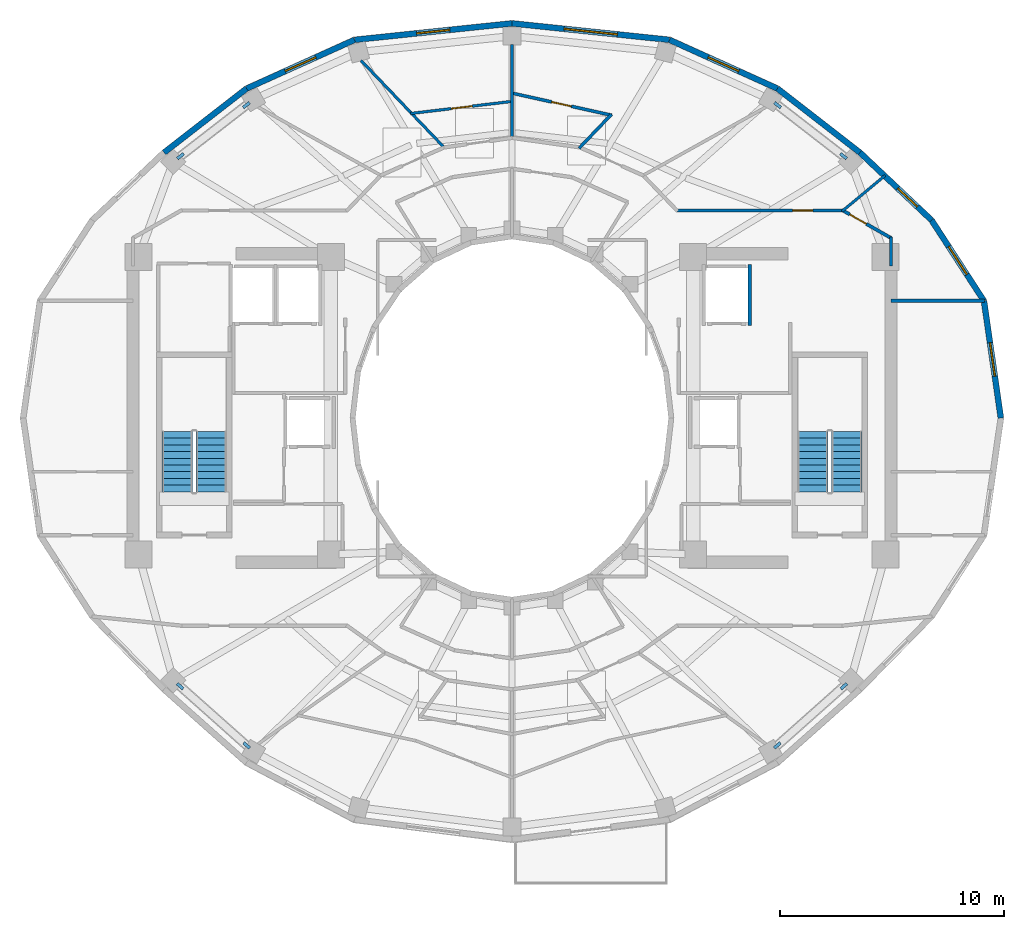
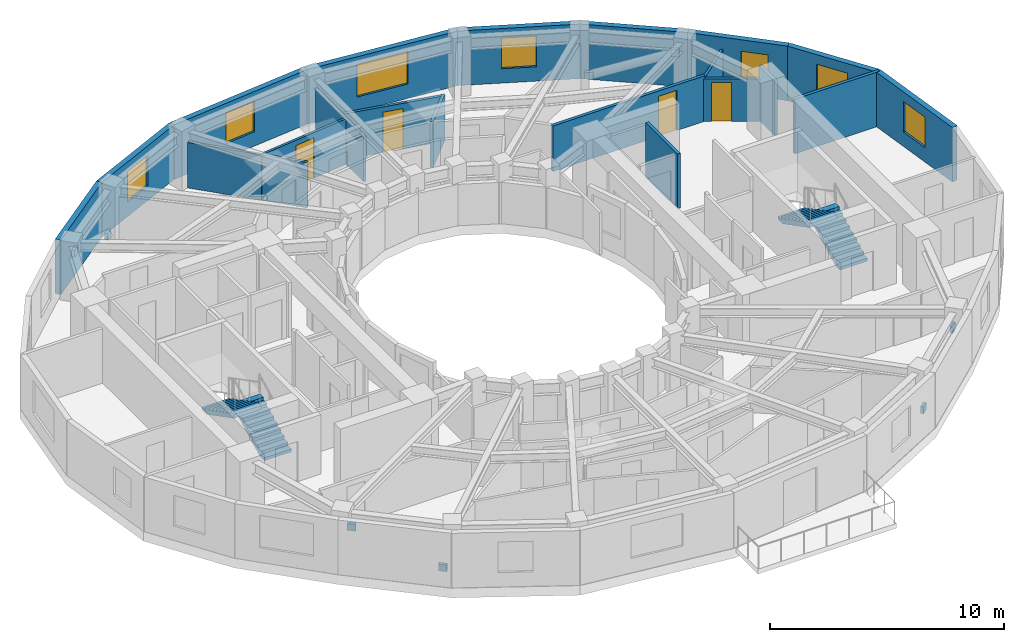
# One storey, part 7 of 9: 20 walls, 8 discrete accessories, 7 windows, 4 doors, 4 stair flights, 11 openings, 2 elements without a shape of their own.
"""IFC4 building model written with IfcOpenShell, lengths in metres."""

from ifc_helpers import new_model, si_unit, direction, frame, frame_2d, origin, origin_2d, place, context, subcontext, project, spatial, polyline, rectangle, outline, extrude, material, layer, layer_set, type_object, element, fill, aggregate, save


model = new_model("IFC4")

# Units and contexts
model_context = context("Model", 3, precision=1e-05, world=origin(), true_north=direction((0.0, 1.0)))
body_context = subcontext(model_context, "Body", "Model", "MODEL_VIEW")
ifc_project = project(units=[si_unit("LENGTHUNIT", "METRE"), si_unit("AREAUNIT", "SQUARE_METRE"), si_unit("VOLUMEUNIT", "CUBIC_METRE"), si_unit("PLANEANGLEUNIT", "RADIAN"), si_unit("MASSUNIT", "GRAM", prefix="KILO")], contexts=[model_context])

# Site, building, storey
site_placement = place(None, origin())
site = spatial("IfcSite", under=ifc_project, at=site_placement, CompositionType="ELEMENT")
building_placement = place(site_placement, origin())
building = spatial("IfcBuilding", under=site, at=building_placement, Name="Solvane Sanctuary Tower", CompositionType="ELEMENT")
storey_placement = place(building_placement, frame((0.0, 0.0, 220.199951171875)))
storey = spatial("IfcBuildingStorey", under=building, at=storey_placement, Name="L67", CompositionType="ELEMENT", Elevation=220.199951171875)

# Walls
ifc_material_1 = material(Name="Acoustic Gypsum Partition Board")
ifc_layer_1 = layer(ifc_material_1, 0.14990234375, Name="Acoustic Gypsum Partition Board")
ifc_layer_set_1 = layer_set([ifc_layer_1], Name="Acoustic Gypsum Partition Board")
wall_type_1 = type_object("IfcWallType", Name="Wall W-CORR-150", PredefinedType="PARTITIONING", material=ifc_layer_set_1)
wall_1_placement = place(storey_placement, frame((48.949951171875, 28.245361328125, 0.0), z_axis=(0.0, 0.0, 1.0), x_axis=(1.0, 0.0, 0.0)))
element("IfcWall", 1, at=wall_1_placement, inside=storey, type_object=wall_type_1, Name="L67 East Shoulder North Wall", PredefinedType="PARTITIONING", context=body_context, shape_type="SweptSolid", body=[
    extrude(rectangle(XDim=4.174560546875, YDim=0.14990234375, at=frame_2d((2.08740234375, 0.0))), origin(), (0.0, 0.0, 1.0), 2.85498046875),
])
wall_2_placement = place(storey_placement, frame((48.949951171875, 29.800048828125, 0.0), z_axis=(0.0, 0.0, 1.0), x_axis=(0.0, 1.0, 0.0)))
element("IfcWall", 2, at=wall_2_placement, inside=storey, type_object=wall_type_1, Name="L67 NE Corner Closer 1", PredefinedType="PARTITIONING", context=body_context, shape_type="SweptSolid", body=[
    extrude(rectangle(XDim=1.2900390625, YDim=0.14990234375, at=frame_2d((0.64501953125, 0.0))), origin(), (0.0, 0.0, 1.0), 2.85498046875),
])

# Wall, opening, door
wall_3_placement = place(storey_placement, frame((39.330078125, 32.280029296875, 0.0), z_axis=(0.0, 0.0, 1.0), x_axis=(1.0, 0.0, 0.0)))
wall_3 = element("IfcWall", 3, at=wall_3_placement, inside=storey, type_object=wall_type_1, Name="L67 NE Corner Corridor Wall", PredefinedType="PARTITIONING", context=body_context, shape_type="SweptSolid", body=[
    extrude(rectangle(XDim=7.52001953125, YDim=0.14990234375, at=frame_2d((3.760009765625, 0.0))), origin(), (0.0, 0.0, 1.0), 2.3759765625),
])
opening_1_placement = place(wall_3_placement, frame((5.219970703125, 0.0, 0.0)))
opening_1 = element("IfcOpeningElement", 4, at=opening_1_placement, cuts=wall_3, Name="Opening D-L67-19", PredefinedType="OPENING", context=body_context, shape_type="SweptSolid", body=[
    extrude(rectangle(XDim=0.89990234375, YDim=2.10009765625, at=frame_2d((0.449951171875, 1.050048828125))), frame((0.0, 0.0849609375, 0.0), z_axis=(0.0, -1.0, 0.0), x_axis=(1.0, 0.0, 0.0)), (0.0, 0.0, 1.0), 0.169921875),
])
ifc_material_2 = material(Name="Engineered Tropical Hardwood", Category="wood")
door_type_1 = type_object("IfcDoorType", Name="Door D-WET-900", OperationType="NOTDEFINED", PredefinedType="DOOR", material=ifc_material_2)
door_1_placement = place(opening_1_placement, origin())
door_1 = element("IfcDoor", 5, at=door_1_placement, inside=storey, type_object=door_type_1, Name="L67 NE Corner Salon Door", OperationType="SINGLE_SWING_RIGHT", OverallHeight=2.10009765625, OverallWidth=0.89990234375, PredefinedType="DOOR", context=body_context, shape_type="SweptSolid", body=[
    extrude(rectangle(XDim=0.89990234375, YDim=2.10009765625, at=frame_2d((0.449951171875, 1.050048828125))), frame((0.0, 0.02490234375, 0.0), z_axis=(0.0, -1.0, 0.0), x_axis=(1.0, 0.0, 0.0)), (0.0, 0.0, 1.0), 0.050048828125),
])
fill(opening_1, door_1)

wall_4_placement = place(storey_placement, frame((46.756591796875, 32.3046875, 0.0), z_axis=(0.0, 0.0, 1.0), x_axis=(0.867991349648, -0.496579315857, 0.0)))
wall_4 = element("IfcWall", 6, at=wall_4_placement, inside=storey, type_object=wall_type_1, Name="L67 NE Corner Wing Wall", PredefinedType="PARTITIONING", context=body_context, shape_type="SweptSolid", body=[
    extrude(rectangle(XDim=2.56689453125, YDim=0.14990234375, at=frame_2d((1.283447265625, 0.0))), origin(), (0.0, 0.0, 1.0), 2.219970703125),
])
opening_2_placement = place(wall_4_placement, frame((0.404052734375, 0.0, 0.0)))
opening_2 = element("IfcOpeningElement", 7, at=opening_2_placement, cuts=wall_4, Name="Opening D-L67-20", PredefinedType="OPENING", context=body_context, shape_type="SweptSolid", body=[
    extrude(rectangle(XDim=0.85009765625, YDim=2.050048828125, at=frame_2d((0.425048828125, 1.02490234375))), frame((0.0, 0.0849609375, 0.0), z_axis=(0.0, -1.0, 0.0), x_axis=(1.0, 0.0, 0.0)), (0.0, 0.0, 1.0), 0.169921875),
])
ifc_material_3 = material(Name="Architectural Stainless Steel 316", Category="steel")
door_type_2 = type_object("IfcDoorType", Name="Door D-RISER", OperationType="NOTDEFINED", PredefinedType="DOOR", material=ifc_material_3)
door_2_placement = place(opening_2_placement, origin())
door_2 = element("IfcDoor", 8, at=door_2_placement, inside=storey, type_object=door_type_2, Name="L67 NE Corner Suite Door", OperationType="SINGLE_SWING_LEFT", OverallHeight=2.050048828125, OverallWidth=0.85009765625, PredefinedType="DOOR", context=body_context, shape_type="SweptSolid", body=[
    extrude(rectangle(XDim=0.85009765625, YDim=2.050048828125, at=frame_2d((0.425048828125, 1.02490234375))), frame((0.0, 0.02490234375, 0.0), z_axis=(0.0, -1.0, 0.0), x_axis=(1.0, 0.0, 0.0)), (0.0, 0.0, 1.0), 0.050048828125),
])
fill(opening_2, door_2)

# Wall, opening, window
ifc_material_4 = material(Name="Precast concrete C40/50", Category="concrete")
ifc_layer_2 = layer(ifc_material_4, 0.260009765625, Name="Precast concrete C40/50")
ifc_layer_set_2 = layer_set([ifc_layer_2], Name="Precast concrete C40/50")
wall_type_2 = type_object("IfcWallType", Name="Wall W-EXT-250", PredefinedType="STANDARD", material=ifc_layer_set_2)
wall_5_placement = place(storey_placement, frame((53.860107421875, 23.0, 0.0), z_axis=(0.0, 0.0, 1.0), x_axis=(-0.142712754019, 0.989764148593, 0.0)))
wall_5 = element("IfcWall", 9, at=wall_5_placement, inside=storey, type_object=wall_type_2, Name="L67 Ceramic-Printed Facade Wall 00", PredefinedType="STANDARD", context=body_context, shape_type="SweptSolid", body=[
    extrude(rectangle(XDim=5.29296875, YDim=0.260009765625, at=frame_2d((2.646484375, 0.0))), origin(), (0.0, 0.0, 1.0), 2.85009765625),
])
opening_3_placement = place(wall_5_placement, frame((1.896484375, 0.0, 0.75)))
opening_3 = element("IfcOpeningElement", 10, at=opening_3_placement, cuts=wall_5, Name="Opening WN-OPER-1500", PredefinedType="OPENING", context=body_context, shape_type="SweptSolid", body=[
    extrude(rectangle(XDim=1.5, YDim=1.60009765625, at=frame_2d((0.75, 0.800048828125))), frame((0.0, 0.139892578125, 0.0), z_axis=(0.0, -1.0, 0.0), x_axis=(1.0, 0.0, 0.0)), (0.0, 0.0, 1.0), 0.280029296875),
])
ifc_material_5 = material(Name="Dark Ceramic-Fritted Low-E Glass", Category="glass")
window_type_1 = type_object("IfcWindowType", Name="Window WN-OPER-1500", PartitioningType="SINGLE_PANEL", PredefinedType="WINDOW", material=ifc_material_5)
window_1_placement = place(opening_3_placement, origin())
window_1 = element("IfcWindow", 11, at=window_1_placement, inside=storey, type_object=window_type_1, Name="L67 Operable Facade Window 00", OverallHeight=1.60009765625, OverallWidth=1.5, PartitioningType="SINGLE_PANEL", PredefinedType="WINDOW", context=body_context, shape_type="SweptSolid", body=[
    extrude(rectangle(XDim=1.5, YDim=1.60009765625, at=frame_2d((0.75, 0.800048828125))), frame((0.0, 0.030029296875, 0.0), z_axis=(0.0, -1.0, 0.0), x_axis=(1.0, 0.0, 0.0)), (0.0, 0.0, 1.0), 0.06005859375),
])
fill(opening_3, window_1)

wall_6_placement = place(storey_placement, frame((53.104736328125, 28.23876953125, 0.0), z_axis=(0.0, 0.0, 1.0), x_axis=(-0.544475908819, 0.838776480784, 0.0)))
wall_6 = element("IfcWall", 12, at=wall_6_placement, inside=storey, type_object=wall_type_2, Name="L67 Ceramic-Printed Facade Wall 01", PredefinedType="STANDARD", context=body_context, shape_type="SweptSolid", body=[
    extrude(rectangle(XDim=4.3046875, YDim=0.260009765625, at=frame_2d((2.15234375, 0.0))), origin(), (0.0, 0.0, 1.0), 2.85009765625),
])
opening_4_placement = place(wall_6_placement, frame((1.40234375, 0.0, 0.75)))
opening_4 = element("IfcOpeningElement", 13, at=opening_4_placement, cuts=wall_6, Name="Opening WN-OPER-1500", PredefinedType="OPENING", context=body_context, shape_type="SweptSolid", body=[
    extrude(rectangle(XDim=1.5, YDim=1.60009765625, at=frame_2d((0.75, 0.800048828125))), frame((0.0, 0.139892578125, 0.0), z_axis=(0.0, -1.0, 0.0), x_axis=(1.0, 0.0, 0.0)), (0.0, 0.0, 1.0), 0.280029296875),
])
window_2_placement = place(opening_4_placement, origin())
window_2 = element("IfcWindow", 14, at=window_2_placement, inside=storey, type_object=window_type_1, Name="L67 Operable Facade Window 01", OverallHeight=1.60009765625, OverallWidth=1.5, PartitioningType="SINGLE_PANEL", PredefinedType="WINDOW", context=body_context, shape_type="SweptSolid", body=[
    extrude(rectangle(XDim=1.5, YDim=1.60009765625, at=frame_2d((0.75, 0.800048828125))), frame((0.0, 0.030029296875, 0.0), z_axis=(0.0, -1.0, 0.0), x_axis=(1.0, 0.0, 0.0)), (0.0, 0.0, 1.0), 0.06005859375),
])
fill(opening_4, window_2)

wall_7_placement = place(storey_placement, frame((50.760986328125, 31.849365234375, 0.0), z_axis=(0.0, 0.0, 1.0), x_axis=(-0.72731899451, 0.686299555752, 0.0)))
wall_7 = element("IfcWall", 15, at=wall_7_placement, inside=storey, type_object=wall_type_2, Name="L67 Ceramic-Printed Facade Wall 02", PredefinedType="STANDARD", context=body_context, shape_type="SweptSolid", body=[
    extrude(rectangle(XDim=4.404296875, YDim=0.260009765625, at=frame_2d((2.2021484375, 0.0))), origin(), (0.0, 0.0, 1.0), 2.85009765625),
])
opening_5_placement = place(wall_7_placement, frame((0.8671875, 0.0, 0.75)))
opening_5 = element("IfcOpeningElement", 16, at=opening_5_placement, cuts=wall_7, Name="Opening WN-OPER-1200", PredefinedType="OPENING", context=body_context, shape_type="SweptSolid", body=[
    extrude(rectangle(XDim=1.199951171875, YDim=1.5, at=frame_2d((0.60009765625, 0.75))), frame((0.0, 0.139892578125, 0.0), z_axis=(0.0, -1.0, 0.0), x_axis=(1.0, 0.0, 0.0)), (0.0, 0.0, 1.0), 0.280029296875),
])
window_type_2 = type_object("IfcWindowType", Name="Window WN-OPER-1200", PartitioningType="SINGLE_PANEL", PredefinedType="WINDOW", material=ifc_material_5)
window_3_placement = place(opening_5_placement, origin())
window_3 = element("IfcWindow", 17, at=window_3_placement, inside=storey, type_object=window_type_2, Name="L67 Operable Facade Window 02", OverallHeight=1.5, OverallWidth=1.199951171875, PartitioningType="SINGLE_PANEL", PredefinedType="WINDOW", context=body_context, shape_type="SweptSolid", body=[
    extrude(rectangle(XDim=1.199951171875, YDim=1.5, at=frame_2d((0.60009765625, 0.75))), frame((0.0, 0.030029296875, 0.0), z_axis=(0.0, -1.0, 0.0), x_axis=(1.0, 0.0, 0.0)), (0.0, 0.0, 1.0), 0.06005859375),
])
fill(opening_5, window_3)

# Wall
wall_8_placement = place(storey_placement, frame((47.5576171875, 34.8720703125, 0.0), z_axis=(0.0, 0.0, 1.0), x_axis=(-0.790126214723, 0.612944177563, 0.0)))
element("IfcWall", 18, at=wall_8_placement, inside=storey, type_object=wall_type_2, Name="L67 Ceramic-Printed Facade Wall 03", PredefinedType="STANDARD", context=body_context, shape_type="SweptSolid", body=[
    extrude(rectangle(XDim=4.6669921875, YDim=0.260009765625, at=frame_2d((2.33349609375, 0.0))), origin(), (0.0, 0.0, 1.0), 2.85009765625),
])

# Wall, opening, window
wall_9_placement = place(storey_placement, frame((43.8701171875, 37.732666015625, 0.0), z_axis=(0.0, 0.0, 1.0), x_axis=(-0.911427484938, 0.411460738952, 0.0)))
wall_9 = element("IfcWall", 19, at=wall_9_placement, inside=storey, type_object=wall_type_2, Name="L67 Ceramic-Printed Facade Wall 04", PredefinedType="STANDARD", context=body_context, shape_type="SweptSolid", body=[
    extrude(rectangle(XDim=5.296142578125, YDim=0.260009765625, at=frame_2d((2.64794921875, 0.0))), origin(), (0.0, 0.0, 1.0), 2.85009765625),
])
opening_6_placement = place(wall_9_placement, frame((1.898193359375, 0.0, 0.75)))
opening_6 = element("IfcOpeningElement", 20, at=opening_6_placement, cuts=wall_9, Name="Opening WN-OPER-1500", PredefinedType="OPENING", context=body_context, shape_type="SweptSolid", body=[
    extrude(rectangle(XDim=1.5, YDim=1.60009765625, at=frame_2d((0.75, 0.800048828125))), frame((0.0, 0.139892578125, 0.0), z_axis=(0.0, -1.0, 0.0), x_axis=(1.0, 0.0, 0.0)), (0.0, 0.0, 1.0), 0.280029296875),
])
window_4_placement = place(opening_6_placement, origin())
window_4 = element("IfcWindow", 21, at=window_4_placement, inside=storey, type_object=window_type_1, Name="L67 Operable Facade Window 04", OverallHeight=1.60009765625, OverallWidth=1.5, PartitioningType="SINGLE_PANEL", PredefinedType="WINDOW", context=body_context, shape_type="SweptSolid", body=[
    extrude(rectangle(XDim=1.5, YDim=1.60009765625, at=frame_2d((0.75, 0.800048828125))), frame((0.0, 0.030029296875, 0.0), z_axis=(0.0, -1.0, 0.0), x_axis=(1.0, 0.0, 0.0)), (0.0, 0.0, 1.0), 0.06005859375),
])
fill(opening_6, window_4)

wall_10_placement = place(storey_placement, frame((39.04296875, 39.911865234375, 0.0), z_axis=(0.0, 0.0, 1.0), x_axis=(-0.994582822721, 0.103947144014, 0.0)))
wall_10 = element("IfcWall", 22, at=wall_10_placement, inside=storey, type_object=wall_type_2, Name="L67 Ceramic-Printed Facade Wall 05", PredefinedType="STANDARD", context=body_context, shape_type="SweptSolid", body=[
    extrude(rectangle(XDim=7.081298828125, YDim=0.260009765625, at=frame_2d((3.54052734375, 0.0))), origin(), (0.0, 0.0, 1.0), 2.85009765625),
])
opening_7_placement = place(wall_10_placement, frame((2.3408203125, 0.0, 0.75)))
opening_7 = element("IfcOpeningElement", 23, at=opening_7_placement, cuts=wall_10, Name="Opening WN-RIB-2400", PredefinedType="OPENING", context=body_context, shape_type="SweptSolid", body=[
    extrude(rectangle(XDim=2.39990234375, YDim=1.699951171875, at=frame_2d((1.199951171875, 0.85009765625))), frame((0.0, 0.139892578125, 0.0), z_axis=(0.0, -1.0, 0.0), x_axis=(1.0, 0.0, 0.0)), (0.0, 0.0, 1.0), 0.280029296875),
])
window_type_3 = type_object("IfcWindowType", Name="Window WN-RIB-2400", PartitioningType="SINGLE_PANEL", PredefinedType="WINDOW", material=ifc_material_5)
window_5_placement = place(opening_7_placement, origin())
window_5 = element("IfcWindow", 24, at=window_5_placement, inside=storey, type_object=window_type_3, Name="L67 Operable Facade Window 05", OverallHeight=1.699951171875, OverallWidth=2.39990234375, PartitioningType="SINGLE_PANEL", PredefinedType="WINDOW", context=body_context, shape_type="SweptSolid", body=[
    extrude(rectangle(XDim=2.39990234375, YDim=1.699951171875, at=frame_2d((1.199951171875, 0.85009765625))), frame((0.0, 0.030029296875, 0.0), z_axis=(0.0, -1.0, 0.0), x_axis=(1.0, 0.0, 0.0)), (0.0, 0.0, 1.0), 0.06005859375),
])
fill(opening_7, window_5)

wall_11_placement = place(storey_placement, frame((32.0, 40.64794921875, 0.0), z_axis=(0.0, 0.0, 1.0), x_axis=(-0.994582822721, -0.103947144014, 0.0)))
wall_11 = element("IfcWall", 25, at=wall_11_placement, inside=storey, type_object=wall_type_2, Name="L67 Ceramic-Printed Facade Wall 06", PredefinedType="STANDARD", context=body_context, shape_type="SweptSolid", body=[
    extrude(rectangle(XDim=7.081298828125, YDim=0.260009765625, at=frame_2d((3.54052734375, 0.0))), origin(), (0.0, 0.0, 1.0), 2.85009765625),
])
opening_8_placement = place(wall_11_placement, frame((2.790771484375, 0.0, 0.75)))
opening_8 = element("IfcOpeningElement", 26, at=opening_8_placement, cuts=wall_11, Name="Opening WN-OPER-1500", PredefinedType="OPENING", context=body_context, shape_type="SweptSolid", body=[
    extrude(rectangle(XDim=1.5, YDim=1.60009765625, at=frame_2d((0.75, 0.800048828125))), frame((0.0, 0.139892578125, 0.0), z_axis=(0.0, -1.0, 0.0), x_axis=(1.0, 0.0, 0.0)), (0.0, 0.0, 1.0), 0.280029296875),
])
window_6_placement = place(opening_8_placement, origin())
window_6 = element("IfcWindow", 27, at=window_6_placement, inside=storey, type_object=window_type_1, Name="L67 Operable Facade Window 06", OverallHeight=1.60009765625, OverallWidth=1.5, PartitioningType="SINGLE_PANEL", PredefinedType="WINDOW", context=body_context, shape_type="SweptSolid", body=[
    extrude(rectangle(XDim=1.5, YDim=1.60009765625, at=frame_2d((0.75, 0.800048828125))), frame((0.0, 0.030029296875, 0.0), z_axis=(0.0, -1.0, 0.0), x_axis=(1.0, 0.0, 0.0)), (0.0, 0.0, 1.0), 0.06005859375),
])
fill(opening_8, window_6)

wall_12_placement = place(storey_placement, frame((24.95703125, 39.911865234375, 0.0), z_axis=(0.0, 0.0, 1.0), x_axis=(-0.911427484938, -0.411460738952, 0.0)))
wall_12 = element("IfcWall", 28, at=wall_12_placement, inside=storey, type_object=wall_type_2, Name="L67 Ceramic-Printed Facade Wall 07", PredefinedType="STANDARD", context=body_context, shape_type="SweptSolid", body=[
    extrude(rectangle(XDim=5.296142578125, YDim=0.260009765625, at=frame_2d((2.64794921875, 0.0))), origin(), (0.0, 0.0, 1.0), 2.85009765625),
])
opening_9_placement = place(wall_12_placement, frame((1.898193359375, 0.0, 0.75)))
opening_9 = element("IfcOpeningElement", 29, at=opening_9_placement, cuts=wall_12, Name="Opening WN-OPER-1500", PredefinedType="OPENING", context=body_context, shape_type="SweptSolid", body=[
    extrude(rectangle(XDim=1.5, YDim=1.60009765625, at=frame_2d((0.75, 0.800048828125))), frame((0.0, 0.139892578125, 0.0), z_axis=(0.0, -1.0, 0.0), x_axis=(1.0, 0.0, 0.0)), (0.0, 0.0, 1.0), 0.280029296875),
])
window_7_placement = place(opening_9_placement, origin())
window_7 = element("IfcWindow", 30, at=window_7_placement, inside=storey, type_object=window_type_1, Name="L67 Operable Facade Window 07", OverallHeight=1.60009765625, OverallWidth=1.5, PartitioningType="SINGLE_PANEL", PredefinedType="WINDOW", context=body_context, shape_type="SweptSolid", body=[
    extrude(rectangle(XDim=1.5, YDim=1.60009765625, at=frame_2d((0.75, 0.800048828125))), frame((0.0, 0.030029296875, 0.0), z_axis=(0.0, -1.0, 0.0), x_axis=(1.0, 0.0, 0.0)), (0.0, 0.0, 1.0), 0.06005859375),
])
fill(opening_9, window_7)

# Walls
wall_13_placement = place(storey_placement, frame((20.1298828125, 37.732666015625, 0.0), z_axis=(0.0, 0.0, 1.0), x_axis=(-0.790126214723, -0.612944177563, 0.0)))
element("IfcWall", 31, at=wall_13_placement, inside=storey, type_object=wall_type_2, Name="L67 Ceramic-Printed Facade Wall 08", PredefinedType="STANDARD", context=body_context, shape_type="SweptSolid", body=[
    extrude(rectangle(XDim=4.6669921875, YDim=0.260009765625, at=frame_2d((2.33349609375, 0.0))), origin(), (0.0, 0.0, 1.0), 2.85009765625),
])
ifc_layer_3 = layer(ifc_material_1, 0.1201171875, Name="Acoustic Gypsum Partition Board")
ifc_layer_set_3 = layer_set([ifc_layer_3], Name="Acoustic Gypsum Partition Board")
wall_type_3 = type_object("IfcWallType", Name="Wall W-MOV-100", PredefinedType="MOVABLE", material=ifc_layer_set_3)
wall_14_placement = place(storey_placement, frame((46.76171875, 32.248046875, 0.0), z_axis=(0.0, 0.0, 1.0), x_axis=(0.76890954941, 0.639357571962, 0.0)))
element("IfcWall", 32, at=wall_14_placement, inside=storey, type_object=wall_type_3, Name="L67 NE Corner Suite Partition", PredefinedType="MOVABLE", context=body_context, shape_type="SweptSolid", body=[
    extrude(rectangle(XDim=2.498779296875, YDim=0.1201171875, at=frame_2d((1.24951171875, 0.0))), origin(), (0.0, 0.0, 1.0), 2.219970703125),
])

# Wall, opening, door
wall_15_placement = place(storey_placement, frame((32.049560546875, 37.165771484375, 0.0), z_axis=(0.0, 0.0, 1.0), x_axis=(-0.992963303559, -0.118422454736, 0.0)))
wall_15 = element("IfcWall", 33, at=wall_15_placement, inside=storey, type_object=wall_type_3, Name="L67 Suite Sitting Lounge Partition N2", PredefinedType="MOVABLE", context=body_context, shape_type="SweptSolid", body=[
    extrude(rectangle(XDim=4.6220703125, YDim=0.1201171875, at=frame_2d((2.31103515625, 0.0))), origin(), (0.0, 0.0, 1.0), 2.3759765625),
])
opening_10_placement = place(wall_15_placement, frame((1.836181640625, 0.0, 0.0)))
opening_10 = element("IfcOpeningElement", 34, at=opening_10_placement, cuts=wall_15, Name="Opening D-L67-26", PredefinedType="OPENING", context=body_context, shape_type="SweptSolid", body=[
    extrude(rectangle(XDim=0.949951171875, YDim=2.10009765625, at=frame_2d((0.47509765625, 1.050048828125))), frame((0.0, 0.070068359375, 0.0), z_axis=(0.0, -1.0, 0.0), x_axis=(1.0, 0.0, 0.0)), (0.0, 0.0, 1.0), 0.14013671875),
])
door_type_3 = type_object("IfcDoorType", Name="Door D-ROOM-950", OperationType="NOTDEFINED", PredefinedType="DOOR", material=ifc_material_2)
door_3_placement = place(opening_10_placement, origin())
door_3 = element("IfcDoor", 35, at=door_3_placement, inside=storey, type_object=door_type_3, Name="L67 Suite Sitting Lounge Door N2", OperationType="SINGLE_SWING_LEFT", OverallHeight=2.10009765625, OverallWidth=0.949951171875, PredefinedType="DOOR", context=body_context, shape_type="SweptSolid", body=[
    extrude(rectangle(XDim=0.949951171875, YDim=2.10009765625, at=frame_2d((0.47509765625, 1.050048828125))), frame((0.0, 0.02490234375, 0.0), z_axis=(0.0, -1.0, 0.0), x_axis=(1.0, 0.0, 0.0)), (0.0, 0.0, 1.0), 0.050048828125),
])
fill(opening_10, door_3)

# Walls
ifc_layer_4 = layer(ifc_material_1, 0.125, Name="Acoustic Gypsum Partition Board")
ifc_layer_set_4 = layer_set([ifc_layer_4], Name="Acoustic Gypsum Partition Board")
wall_type_4 = type_object("IfcWallType", Name="Wall W-PART-125", PredefinedType="PARTITIONING", material=ifc_layer_set_4)
wall_16_placement = place(storey_placement, frame((32.0, 35.5849609375, 0.0), z_axis=(0.0, 0.0, 1.0), x_axis=(0.0, 1.0, 0.0)))
element("IfcWall", 36, at=wall_16_placement, inside=storey, type_object=wall_type_4, Name="L67 Radial Compartment Wall 090", PredefinedType="PARTITIONING", context=body_context, shape_type="SweptSolid", body=[
    extrude(rectangle(XDim=4.114990234375, YDim=0.125, at=frame_2d((2.0576171875, 0.0))), origin(), (0.0, 0.0, 1.0), 2.3759765625),
])
wall_17_placement = place(storey_placement, frame((28.926025390625, 35.142822265625, 0.0), z_axis=(0.0, 0.0, 1.0), x_axis=(-0.691128003726, 0.722732372642, 0.0)))
element("IfcWall", 37, at=wall_17_placement, inside=storey, type_object=wall_type_4, Name="L67 Radial Compartment Wall 105", PredefinedType="PARTITIONING", context=body_context, shape_type="SweptSolid", body=[
    extrude(rectangle(XDim=5.330078125, YDim=0.125, at=frame_2d((2.6650390625, 0.0))), origin(), (0.0, 0.0, 1.0), 2.3759765625),
])
ifc_material_6 = material(Name="Concrete C50/60", Category="concrete")
ifc_layer_5 = layer(ifc_material_6, 0.14990234375, Name="Concrete C50/60")
ifc_layer_set_5 = layer_set([ifc_layer_5], Name="Concrete C50/60")
wall_type_5 = type_object("IfcWallType", Name="Wall W-SHAFT-150", PredefinedType="SOLIDWALL", material=ifc_layer_set_5)
wall_18_placement = place(storey_placement, frame((42.6298828125, 27.139892578125, 0.0), z_axis=(0.0, 0.0, 1.0), x_axis=(0.0, 1.0, 0.0)))
element("IfcWall", 38, at=wall_18_placement, inside=storey, type_object=wall_type_5, Name="L67 FFL-2 Lift Shaft Wall S2", PredefinedType="SOLIDWALL", context=body_context, shape_type="SweptSolid", body=[
    extrude(rectangle(XDim=2.72021484375, YDim=0.14990234375, at=frame_2d((1.360107421875, 0.0))), origin(), (0.0, 0.0, 1.0), 2.85498046875),
])
ifc_layer_6 = layer(ifc_material_1, 0.139892578125, Name="Acoustic Gypsum Partition Board")
ifc_layer_set_6 = layer_set([ifc_layer_6], Name="Acoustic Gypsum Partition Board")
wall_type_6 = type_object("IfcWallType", Name="Wall W-WET-140", PredefinedType="PLUMBINGWALL", material=ifc_layer_set_6)
wall_19_placement = place(storey_placement, frame((35.001220703125, 35.06689453125, 0.0), z_axis=(0.0, 0.0, 1.0), x_axis=(0.691180416361, 0.722682248321, 0.0)))
element("IfcWall", 39, at=wall_19_placement, inside=storey, type_object=wall_type_6, Name="L67 En-suite Side Partition N1", PredefinedType="PLUMBINGWALL", context=body_context, shape_type="SweptSolid", body=[
    extrude(rectangle(XDim=2.100341796875, YDim=0.139892578125, at=frame_2d((1.05029296875, 0.0))), origin(), (0.0, 0.0, 1.0), 2.385009765625),
])

# Wall, opening, door
wall_20_placement = place(storey_placement, frame((36.467041015625, 36.537841796875, 0.0), z_axis=(0.0, 0.0, 1.0), x_axis=(-0.976214372251, 0.21680751696, 0.0)))
wall_20 = element("IfcWall", 40, at=wall_20_placement, inside=storey, type_object=wall_type_6, Name="L67 En-suite Bedroom Wall N1", PredefinedType="PLUMBINGWALL", context=body_context, shape_type="SweptSolid", body=[
    extrude(rectangle(XDim=4.6259765625, YDim=0.139892578125, at=frame_2d((2.31298828125, 0.0))), origin(), (0.0, 0.0, 1.0), 2.3759765625),
])
opening_11_placement = place(wall_20_placement, frame((1.86279296875, 0.0, 0.0)))
opening_11 = element("IfcOpeningElement", 41, at=opening_11_placement, cuts=wall_20, Name="Opening D-L67-24", PredefinedType="OPENING", context=body_context, shape_type="SweptSolid", body=[
    extrude(rectangle(XDim=0.89990234375, YDim=2.10009765625, at=frame_2d((0.449951171875, 1.050048828125))), frame((0.0, 0.079833984375, 0.0), z_axis=(0.0, -1.0, 0.0), x_axis=(1.0, 0.0, 0.0)), (0.0, 0.0, 1.0), 0.159912109375),
])
door_4_placement = place(opening_11_placement, origin())
door_4 = element("IfcDoor", 42, at=door_4_placement, inside=storey, type_object=door_type_1, Name="L67 En-suite Bathroom Door N1", OperationType="SINGLE_SWING_LEFT", OverallHeight=2.10009765625, OverallWidth=0.89990234375, PredefinedType="DOOR", context=body_context, shape_type="SweptSolid", body=[
    extrude(rectangle(XDim=0.89990234375, YDim=2.10009765625, at=frame_2d((0.449951171875, 1.050048828125))), frame((0.0, 0.02490234375, 0.0), z_axis=(0.0, -1.0, 0.0), x_axis=(1.0, 0.0, 0.0)), (0.0, 0.0, 1.0), 0.050048828125),
])
fill(opening_11, door_4)

# Stair, stair flights
ifc_material_7 = material(Name="Concrete C45/55", Category="concrete")
stair_type = type_object("IfcStairType", Name="Stair ST-TOW", PredefinedType="HALF_TURN_STAIR", material=ifc_material_7)
stair_1_placement = place(storey_placement, origin())
stair_1 = element("IfcStair", 43, at=stair_1_placement, inside=storey, type_object=stair_type, Name="L67 Exit Stair ST-1 West Core", PredefinedType="HALF_TURN_STAIR")
stair_flight_type = type_object("IfcStairFlightType", Name="StairFlight SF-TOW", PredefinedType="STRAIGHT", material=ifc_material_7)
stair_flight_1_placement = place(storey_placement, frame((18.544921875, 19.699951171875, 0.0), z_axis=(0.0, 0.0, 1.0), x_axis=(0.0, 1.0, 0.0)))
stair_flight_1 = element("IfcStairFlight", 44, at=stair_flight_1_placement, type_object=stair_flight_type, Name="ST-1 flight 1", NumberOfRisers=10, NumberOfTreads=9, PredefinedType="STRAIGHT", RiserHeight=0.155, TreadLength=0.3, context=body_context, shape_type="SweptSolid", body=[
    extrude(outline(polyline([(0.0, 0.0), (0.0, 0.155029296875), (0.300048828125, 0.155029296875), (0.300048828125, 0.31005859375), (0.60009765625, 0.31005859375), (0.60009765625, 0.465087890625), (0.89990234375, 0.465087890625), (0.89990234375, 0.6201171875), (1.199951171875, 0.6201171875), (1.199951171875, 0.77490234375), (1.5, 0.77490234375), (1.5, 0.929931640625), (1.800048828125, 0.929931640625), (1.800048828125, 1.0849609375), (2.10009765625, 1.0849609375), (2.10009765625, 1.239990234375), (2.39990234375, 1.239990234375), (2.39990234375, 1.39501953125), (2.699951171875, 1.39501953125), (2.699951171875, 1.550048828125), (2.699951171875, 1.1923828125), (0.39208984375, 0.0), (0.0, 0.0)])), frame((0.0, 0.675048828125, 0.0), z_axis=(0.0, -1.0, 0.0), x_axis=(1.0, 0.0, 0.0)), (0.0, 0.0, 1.0), 1.35009765625),
])
stair_flight_2_placement = place(storey_placement, frame((17.034912109375, 22.39990234375, 1.550048828125), z_axis=(0.0, 0.0, 1.0), x_axis=(0.0, -1.0, 0.0)))
stair_flight_2 = element("IfcStairFlight", 45, at=stair_flight_2_placement, type_object=stair_flight_type, Name="ST-1 flight 2", NumberOfRisers=10, NumberOfTreads=9, PredefinedType="STRAIGHT", RiserHeight=0.155, TreadLength=0.3, context=body_context, shape_type="SweptSolid", body=[
    extrude(outline(polyline([(0.0, 0.0), (0.0, 0.155029296875), (0.300048828125, 0.155029296875), (0.300048828125, 0.31005859375), (0.60009765625, 0.31005859375), (0.60009765625, 0.465087890625), (0.89990234375, 0.465087890625), (0.89990234375, 0.6201171875), (1.199951171875, 0.6201171875), (1.199951171875, 0.77490234375), (1.5, 0.77490234375), (1.5, 0.929931640625), (1.800048828125, 0.929931640625), (1.800048828125, 1.0849609375), (2.10009765625, 1.0849609375), (2.10009765625, 1.239990234375), (2.39990234375, 1.239990234375), (2.39990234375, 1.39501953125), (2.699951171875, 1.39501953125), (2.699951171875, 1.550048828125), (2.699951171875, 1.1923828125), (0.39208984375, 0.0), (0.0, 0.0)])), frame((0.0, 0.675048828125, 0.0), z_axis=(0.0, -1.0, 0.0), x_axis=(1.0, 0.0, 0.0)), (0.0, 0.0, 1.0), 1.35009765625),
])
aggregate(stair_1, [stair_flight_1, stair_flight_2])

stair_2_placement = place(storey_placement, origin())
stair_2 = element("IfcStair", 46, at=stair_2_placement, inside=storey, type_object=stair_type, Name="L67 Exit Stair ST-2 East Core", PredefinedType="HALF_TURN_STAIR")
stair_flight_3_placement = place(storey_placement, frame((46.965087890625, 19.699951171875, 0.0), z_axis=(0.0, 0.0, 1.0), x_axis=(0.0, 1.0, 0.0)))
stair_flight_3 = element("IfcStairFlight", 47, at=stair_flight_3_placement, type_object=stair_flight_type, Name="ST-2 flight 1", NumberOfRisers=10, NumberOfTreads=9, PredefinedType="STRAIGHT", RiserHeight=0.155, TreadLength=0.3, context=body_context, shape_type="SweptSolid", body=[
    extrude(outline(polyline([(0.0, 0.0), (0.0, 0.155029296875), (0.300048828125, 0.155029296875), (0.300048828125, 0.31005859375), (0.60009765625, 0.31005859375), (0.60009765625, 0.465087890625), (0.89990234375, 0.465087890625), (0.89990234375, 0.6201171875), (1.199951171875, 0.6201171875), (1.199951171875, 0.77490234375), (1.5, 0.77490234375), (1.5, 0.929931640625), (1.800048828125, 0.929931640625), (1.800048828125, 1.0849609375), (2.10009765625, 1.0849609375), (2.10009765625, 1.239990234375), (2.39990234375, 1.239990234375), (2.39990234375, 1.39501953125), (2.699951171875, 1.39501953125), (2.699951171875, 1.550048828125), (2.699951171875, 1.1923828125), (0.39208984375, 0.0), (0.0, 0.0)])), frame((0.0, 0.675048828125, 0.0), z_axis=(0.0, -1.0, 0.0), x_axis=(1.0, 0.0, 0.0)), (0.0, 0.0, 1.0), 1.35009765625),
])
stair_flight_4_placement = place(storey_placement, frame((45.455078125, 22.39990234375, 1.550048828125), z_axis=(0.0, 0.0, 1.0), x_axis=(0.0, -1.0, 0.0)))
stair_flight_4 = element("IfcStairFlight", 48, at=stair_flight_4_placement, type_object=stair_flight_type, Name="ST-2 flight 2", NumberOfRisers=10, NumberOfTreads=9, PredefinedType="STRAIGHT", RiserHeight=0.155, TreadLength=0.3, context=body_context, shape_type="SweptSolid", body=[
    extrude(outline(polyline([(0.0, 0.0), (0.0, 0.155029296875), (0.300048828125, 0.155029296875), (0.300048828125, 0.31005859375), (0.60009765625, 0.31005859375), (0.60009765625, 0.465087890625), (0.89990234375, 0.465087890625), (0.89990234375, 0.6201171875), (1.199951171875, 0.6201171875), (1.199951171875, 0.77490234375), (1.5, 0.77490234375), (1.5, 0.929931640625), (1.800048828125, 0.929931640625), (1.800048828125, 1.0849609375), (2.10009765625, 1.0849609375), (2.10009765625, 1.239990234375), (2.39990234375, 1.239990234375), (2.39990234375, 1.39501953125), (2.699951171875, 1.39501953125), (2.699951171875, 1.550048828125), (2.699951171875, 1.1923828125), (0.39208984375, 0.0), (0.0, 0.0)])), frame((0.0, 0.675048828125, 0.0), z_axis=(0.0, -1.0, 0.0), x_axis=(1.0, 0.0, 0.0)), (0.0, 0.0, 1.0), 1.35009765625),
])
aggregate(stair_2, [stair_flight_3, stair_flight_4])

# Discrete accessories
ifc_material_8 = material(Name="Steel ASTM A572 Grade 50", Category="steel")
ifc_layer_7 = layer(ifc_material_8, 0.360107421875, Name="Steel ASTM A572 Grade 50")
ifc_layer_set_7 = layer_set([ifc_layer_7], Name="Steel ASTM A572 Grade 50")
discrete_accessory_type = type_object("IfcDiscreteAccessoryType", Name="Accessory ACC-GUSSET-BRK", PredefinedType="BRACKET", material=ifc_layer_set_7)
for number, where, z_axis, x_axis, name in (
    (49, (43.8779296875, 36.991455078125, 0.3681640625), (0.0, 0.0, 1.0), (0.790689573744, -0.612217280034, 0.0), "L67 Perimeter Braced-Tube Diagonal NE End Gusset Bracket A"),
    (50, (46.822509765625, 34.71142578125, 1.90185546875), (0.0, 0.0, 1.0), (0.790689573744, -0.612217280034, 0.0), "L67 Perimeter Braced-Tube Diagonal NE End Gusset Bracket B"),
    (51, (20.1220703125, 36.991455078125, 0.3681640625), (0.0, 0.0, 1.0), (-0.790689573744, -0.612217280034, 0.0), "L67 Perimeter Braced-Tube Diagonal NW End Gusset Bracket A"),
    (52, (17.177490234375, 34.71142578125, 1.90185546875), (0.0, 0.0, 1.0), (-0.790689573744, -0.612217280034, 0.0), "L67 Perimeter Braced-Tube Diagonal NW End Gusset Bracket B"),
    (53, (20.13623046875, 8.360595703125, 0.36083984375), (0.0, 0.0, 1.0), (-0.747218420912, 0.664578536706, 0.0), "L67 Perimeter Braced-Tube Diagonal SW End Gusset Bracket A"),
    (54, (17.157958984375, 11.009765625, 1.912109375), (0.0, 0.0, 1.0), (-0.747218420912, 0.664578536706, 0.0), "L67 Perimeter Braced-Tube Diagonal SW End Gusset Bracket B"),
    (55, (43.86376953125, 8.360595703125, 0.36083984375), (0.0, 0.0, 1.0), (0.747218420912, 0.664578536706, 0.0), "L67 Perimeter Braced-Tube Diagonal SE End Gusset Bracket A"),
    (56, (46.842041015625, 11.009765625, 1.912109375), (0.0, 0.0, 1.0), (0.747218420912, 0.664578536706, 0.0), "L67 Perimeter Braced-Tube Diagonal SE End Gusset Bracket B"),
):
    element("IfcDiscreteAccessory", number, at=place(storey_placement, frame(where, z_axis=z_axis, x_axis=x_axis)), inside=storey, type_object=discrete_accessory_type, Name=name, PredefinedType="BRACKET", context=body_context, shape_type="SweptSolid", body=[
        extrude(rectangle(XDim=0.360107421875, YDim=0.139892578125, at=origin_2d()), origin(), (0.0, 0.0, 1.0), 0.360107421875),
    ])

save(model, "model.ifc")
